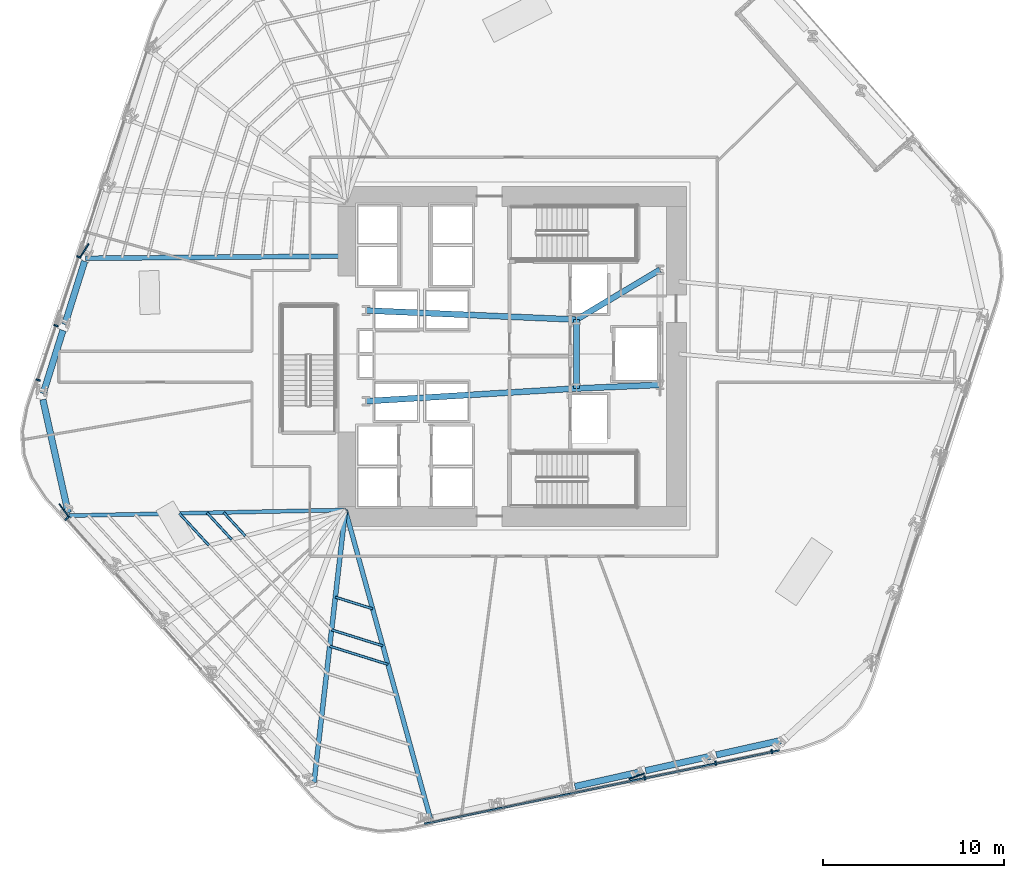
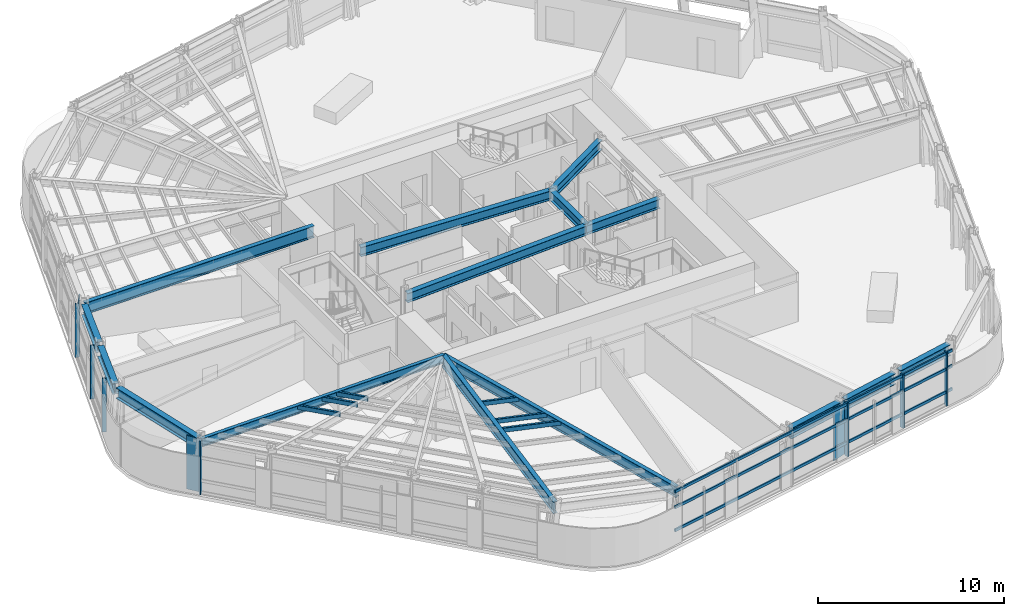
# One storey, part 3 of 17: 19 members, 15 beams, 3 elements without a shape of their own.
"""IFC4 building model written with IfcOpenShell, lengths in metres."""

from ifc_helpers import new_model, si_unit, direction, frame, origin, origin_2d, place, context, subcontext, project, spatial, rectangle, hollow_rectangle, i_section, extrude, material, layer, layer_set, material_profile, profile_set, type_object, element, aggregate, save


model = new_model("IFC4")

# Units and contexts
model_context = context("Model", 3, precision=1e-05, world=origin(), true_north=direction((0.0, 1.0)))
body_context = subcontext(model_context, "Body", "Model", "MODEL_VIEW")
ifc_project = project(units=[si_unit("LENGTHUNIT", "METRE"), si_unit("AREAUNIT", "SQUARE_METRE"), si_unit("VOLUMEUNIT", "CUBIC_METRE"), si_unit("PLANEANGLEUNIT", "RADIAN"), si_unit("MASSUNIT", "GRAM", prefix="KILO")], contexts=[model_context])

# Site, building, storey
site_placement = place(None, origin())
site = spatial("IfcSite", under=ifc_project, at=site_placement, CompositionType="ELEMENT")
building_placement = place(site_placement, origin())
building = spatial("IfcBuilding", under=site, at=building_placement, Name="Valkerne Bourse Tower", CompositionType="ELEMENT")
storey_placement = place(building_placement, frame((0.0, 0.0, 73.39990234375)))
storey = spatial("IfcBuildingStorey", under=building, at=storey_placement, Name="L18", CompositionType="ELEMENT", Elevation=73.39990234375)

# Beams
ifc_material_1 = material(Name="Steel ASTM A992", Category="steel")
ifc_material_profile_1 = material_profile(ifc_material_1, i_section(OverallWidth=0.2138671875, OverallDepth=0.548583984375, WebThickness=0.0146484375, FlangeThickness=0.023681640625, FilletRadius=0.017822265625, at=origin_2d()), Name="W21X93")
ifc_profile_set_1 = profile_set([ifc_material_profile_1], Name="Steel ASTM A992")
beam_type_1 = type_object("IfcBeamType", Name="BM-W21X93", PredefinedType="BEAM", material=ifc_profile_set_1)
beam_1_placement = place(storey_placement, frame((22.347900390625, 18.0869140625, 3.245849609375), z_axis=(0.999789513525, 0.020516545649, 0.0), x_axis=(-0.020516545649, 0.999789513525, 0.0)))
element("IfcBeam", 1, at=beam_1_placement, inside=storey, type_object=beam_type_1, Name="L18 Radial Composite Floor Beam 18", PredefinedType="BEAM", context=body_context, shape_type="SweptSolid", body=[
    extrude(i_section(OverallWidth=0.2138671875, OverallDepth=0.548583984375, WebThickness=0.0146484375, FlangeThickness=0.023681640625, FilletRadius=0.017822265625, at=origin_2d()), origin(), (0.0, 0.0, 1.0), 15.25537109375),
])
ifc_material_profile_2 = material_profile(ifc_material_1, i_section(OverallWidth=0.3251953125, OverallDepth=0.612060546875, WebThickness=0.0126953125, FlangeThickness=0.01904296875, FilletRadius=0.020263671875, at=origin_2d()), Name="W24X104")
ifc_profile_set_2 = profile_set([ifc_material_profile_2], Name="Steel ASTM A992")
beam_type_2 = type_object("IfcBeamType", Name="BM-W24X104", PredefinedType="BEAM", material=ifc_profile_set_2)
beam_2_placement = place(storey_placement, frame((50.35009765625, 25.10009765625, 3.214111328125), z_axis=(0.0, 1.0, 0.0), x_axis=(-1.0, 0.0, 0.0)))
element("IfcBeam", 2, at=beam_2_placement, inside=storey, type_object=beam_type_2, Name="L18 Core Frame Girder CG-CE", PredefinedType="BEAM", context=body_context, shape_type="SweptSolid", body=[
    extrude(i_section(OverallWidth=0.3251953125, OverallDepth=0.612060546875, WebThickness=0.0126953125, FlangeThickness=0.01904296875, FilletRadius=0.020263671875, at=origin_2d()), origin(), (0.0, 0.0, 1.0), 3.7998046875),
])
beam_3_placement = place(storey_placement, frame((50.35009765625, 25.10009765625, 3.214111328125), z_axis=(0.999056558506, 0.043428019819, 0.0), x_axis=(-0.043428019819, 0.999056558506, 0.0)))
element("IfcBeam", 3, at=beam_3_placement, inside=storey, type_object=beam_type_2, Name="L18 Core Frame Girder CG-SE", PredefinedType="BEAM", context=body_context, shape_type="SweptSolid", body=[
    extrude(i_section(OverallWidth=0.3251953125, OverallDepth=0.612060546875, WebThickness=0.0126953125, FlangeThickness=0.01904296875, FilletRadius=0.020263671875, at=origin_2d()), origin(), (0.0, 0.0, 1.0), 4.604248046875),
])
beam_4_placement = place(storey_placement, frame((50.35009765625, 28.89990234375, 3.214111328125), z_axis=(0.858307823492, 0.513135148019, 0.0), x_axis=(-0.513135148019, 0.858307823492, 0.0)))
element("IfcBeam", 4, at=beam_4_placement, inside=storey, type_object=beam_type_2, Name="L18 Core Frame Girder CG-NE", PredefinedType="BEAM", context=body_context, shape_type="SweptSolid", body=[
    extrude(i_section(OverallWidth=0.3251953125, OverallDepth=0.612060546875, WebThickness=0.0126953125, FlangeThickness=0.01904296875, FilletRadius=0.020263671875, at=origin_2d()), origin(), (0.0, 0.0, 1.0), 5.359130859375),
])
beam_5_placement = place(storey_placement, frame((38.75, 24.39990234375, 3.214111328125), z_axis=(0.998183228389, 0.060251494276, 0.0), x_axis=(-0.060251494276, 0.998183228389, 0.0)))
element("IfcBeam", 5, at=beam_5_placement, inside=storey, type_object=beam_type_2, Name="L18 Core Frame Girder CG-SW", PredefinedType="BEAM", context=body_context, shape_type="SweptSolid", body=[
    extrude(i_section(OverallWidth=0.3251953125, OverallDepth=0.612060546875, WebThickness=0.0126953125, FlangeThickness=0.01904296875, FilletRadius=0.020263671875, at=origin_2d()), origin(), (0.0, 0.0, 1.0), 11.62109375),
])
beam_6_placement = place(storey_placement, frame((38.75, 29.39990234375, 3.214111328125), z_axis=(0.999072354402, -0.043063101019, 0.0), x_axis=(0.043063101019, 0.999072354402, 0.0)))
element("IfcBeam", 6, at=beam_6_placement, inside=storey, type_object=beam_type_2, Name="L18 Core Frame Girder CG-NW", PredefinedType="BEAM", context=body_context, shape_type="SweptSolid", body=[
    extrude(i_section(OverallWidth=0.3251953125, OverallDepth=0.612060546875, WebThickness=0.0126953125, FlangeThickness=0.01904296875, FilletRadius=0.020263671875, at=origin_2d()), origin(), (0.0, 0.0, 1.0), 11.61083984375),
])
ifc_material_profile_3 = material_profile(ifc_material_1, i_section(OverallWidth=0.255859375, OverallDepth=0.693359375, WebThickness=0.014404296875, FlangeThickness=0.023681640625, FilletRadius=0.02294921875, at=origin_2d()), Name="W27X114")
ifc_profile_set_3 = profile_set([ifc_material_profile_3], Name="Steel ASTM A992")
beam_type_3 = type_object("IfcBeamType", Name="BM-W27X114", PredefinedType="BEAM", material=ifc_profile_set_3)
beam_7_placement = place(storey_placement, frame((42.293212890625, 1.3671875, 3.17333984375), z_axis=(-0.265636289645, 0.964073317556, 0.0), x_axis=(-0.964073317556, -0.265636289645, 0.0)))
element("IfcBeam", 7, at=beam_7_placement, inside=storey, type_object=beam_type_3, Name="L18 Radial Composite Floor Beam 24", PredefinedType="BEAM", context=body_context, shape_type="SweptSolid", body=[
    extrude(i_section(OverallWidth=0.255859375, OverallDepth=0.693359375, WebThickness=0.014404296875, FlangeThickness=0.023681640625, FilletRadius=0.02294921875, at=origin_2d()), origin(), (0.0, 0.0, 1.0), 17.66748046875),
])
ifc_material_profile_4 = material_profile(ifc_material_1, i_section(OverallWidth=0.358154296875, OverallDepth=0.7060546875, WebThickness=0.018310546875, FlangeThickness=0.0302734375, FilletRadius=0.02294921875, at=origin_2d()), Name="W27X178")
ifc_profile_set_4 = profile_set([ifc_material_profile_4], Name="Steel ASTM A992")
beam_type_4 = type_object("IfcBeamType", Name="BM-W27X178", PredefinedType="SPANDREL", material=ifc_profile_set_4)
for number, where, z_axis, x_axis, name in (
    (8, (23.21923828125, 32.117919921875, 3.1669921875), (-0.299027746535, -0.9542444167, 0.0), (0.9542444167, -0.299027746535, 0.0), "L18 Hexagonal Spandrel Ring Beam 15"),
    (9, (22.0244140625, 28.3046875, 3.1669921875), (-0.299088550744, -0.954225360601, 0.0), (0.954225360601, -0.299088550744, 0.0), "L18 Hexagonal Spandrel Ring Beam 16"),
):
    element("IfcBeam", number, at=place(storey_placement, frame(where, z_axis=z_axis, x_axis=x_axis)), inside=storey, type_object=beam_type_4, Name=name, PredefinedType="SPANDREL", context=body_context, shape_type="SweptSolid", body=[
        extrude(i_section(OverallWidth=0.358154296875, OverallDepth=0.7060546875, WebThickness=0.018310546875, FlangeThickness=0.0302734375, FilletRadius=0.02294921875, at=origin_2d()), origin(), (0.0, 0.0, 1.0), 3.656005859375),
    ])
beam_8_placement = place(storey_placement, frame((20.917236328125, 24.48779296875, 3.1669921875), z_axis=(0.218119845195, -0.975921991315, 0.0), x_axis=(0.975921991315, 0.218119845195, 0.0)))
element("IfcBeam", 10, at=beam_8_placement, inside=storey, type_object=beam_type_4, Name="L18 Hexagonal Spandrel Ring Beam 17", PredefinedType="SPANDREL", context=body_context, shape_type="SweptSolid", body=[
    extrude(i_section(OverallWidth=0.358154296875, OverallDepth=0.7060546875, WebThickness=0.018310546875, FlangeThickness=0.0302734375, FilletRadius=0.02294921875, at=origin_2d()), origin(), (0.0, 0.0, 1.0), 6.388916015625),
])
for number, where, z_axis, x_axis, name in (
    (11, (50.258544921875, 3.147705078125, 3.1669921875), (0.975911302758, 0.218167662933, 0.0), (-0.218167662933, 0.975911302758, 0.0), "L18 Hexagonal Spandrel Ring Beam 26"),
    (12, (54.158203125, 4.01953125, 3.1669921875), (0.975928695387, 0.218089847358, 0.0), (-0.218089847358, 0.975928695387, 0.0), "L18 Hexagonal Spandrel Ring Beam 27"),
    (13, (58.05810546875, 4.89111328125, 3.1669921875), (0.975911302758, 0.218167662933, 0.0), (-0.218167662933, 0.975911302758, 0.0), "L18 Hexagonal Spandrel Ring Beam 28"),
):
    element("IfcBeam", number, at=place(storey_placement, frame(where, z_axis=z_axis, x_axis=x_axis)), inside=storey, type_object=beam_type_4, Name=name, PredefinedType="SPANDREL", context=body_context, shape_type="SweptSolid", body=[
        extrude(i_section(OverallWidth=0.358154296875, OverallDepth=0.7060546875, WebThickness=0.018310546875, FlangeThickness=0.0302734375, FilletRadius=0.02294921875, at=origin_2d()), origin(), (0.0, 0.0, 1.0), 3.656005859375),
    ])
ifc_material_profile_5 = material_profile(ifc_material_1, i_section(OverallWidth=0.26806640625, OverallDepth=0.76953125, WebThickness=0.015625, FlangeThickness=0.025390625, FilletRadius=0.025390625, at=origin_2d()), Name="W30X132")
ifc_profile_set_5 = profile_set([ifc_material_profile_5], Name="Steel ASTM A992")
beam_type_5 = type_object("IfcBeamType", Name="BM-W30X132", PredefinedType="BEAM", material=ifc_profile_set_5)
beam_9_placement = place(storey_placement, frame((23.27001953125, 32.280029296875, 3.13525390625), z_axis=(0.999965014089, 0.008364842952, 0.0), x_axis=(-0.008364842952, 0.999965014089, 0.0)))
element("IfcBeam", 14, at=beam_9_placement, inside=storey, type_object=beam_type_5, Name="L18 Radial Composite Floor Beam 15", PredefinedType="BEAM", context=body_context, shape_type="SweptSolid", body=[
    extrude(i_section(OverallWidth=0.26806640625, OverallDepth=0.76953125, WebThickness=0.015625, FlangeThickness=0.025390625, FilletRadius=0.025390625, at=origin_2d()), origin(), (0.0, 0.0, 1.0), 14.33056640625),
])
beam_10_placement = place(storey_placement, frame((35.8720703125, 3.379638671875, 3.13525390625), z_axis=(0.114292522384, 0.993447139674, 0.0), x_axis=(-0.993447139674, 0.114292522384, 0.0)))
element("IfcBeam", 15, at=beam_10_placement, inside=storey, type_object=beam_type_5, Name="L18 Radial Composite Floor Beam 23", PredefinedType="BEAM", context=body_context, shape_type="SweptSolid", body=[
    extrude(i_section(OverallWidth=0.26806640625, OverallDepth=0.76953125, WebThickness=0.015625, FlangeThickness=0.025390625, FilletRadius=0.025390625, at=origin_2d()), origin(), (0.0, 0.0, 1.0), 15.119384765625),
])

# Curtain wall, members
ifc_material_2 = material(Name="Aluminium AA 6063-T6", Category="aluminium")
ifc_layer = layer(ifc_material_2, 0.22509765625)
ifc_layer_set = layer_set([ifc_layer], Name="Aluminium AA 6063-T6")
curtain_wall_type = type_object("IfcCurtainWallType", Name="CW-01", PredefinedType="NOTDEFINED", material=ifc_layer_set)
curtain_wall_1_placement = place(storey_placement, origin())
curtain_wall_1 = element("IfcCurtainWall", 16, at=curtain_wall_1_placement, inside=storey, type_object=curtain_wall_type, Name="L18 Hexagonal Stick Curtain Wall Face 3", PredefinedType="NOTDEFINED")
ifc_material_profile_6 = material_profile(ifc_material_2, rectangle(XDim=0.090087890625, YDim=0.239990234375, at=origin_2d()), Name="CWM-90X240")
ifc_profile_set_6 = profile_set([ifc_material_profile_6], Name="Aluminium AA 6063-T6")
member_type_1 = type_object("IfcMemberType", Name="CW-MUL-240X90", PredefinedType="MULLION", material=ifc_profile_set_6)
member_1_placement = place(storey_placement, frame((22.901123046875, 32.35693359375, 0.0), z_axis=(0.0, 0.0, 1.0), x_axis=(-0.314012202372, -0.949418946915, 0.0)))
member_1 = element("IfcMember", 17, at=member_1_placement, type_object=member_type_1, Name="CW-L18-F3 Jamb Mullion 03A", PredefinedType="MULLION", context=body_context, shape_type="SweptSolid", body=[
    extrude(rectangle(XDim=0.090087890625, YDim=0.239990234375, at=origin_2d()), origin(), (0.0, 0.0, 1.0), 3.52001953125),
])
member_2_placement = place(storey_placement, frame((21.646484375, 28.56298828125, 0.0), z_axis=(0.0, 0.0, 1.0), x_axis=(-0.31398964478, -0.949426407349, 0.0)))
member_2 = element("IfcMember", 18, at=member_2_placement, type_object=member_type_1, Name="CW-L18-F3 Jamb Mullion 04A", PredefinedType="MULLION", context=body_context, shape_type="SweptSolid", body=[
    extrude(rectangle(XDim=0.090087890625, YDim=0.239990234375, at=origin_2d()), origin(), (0.0, 0.0, 1.0), 3.52001953125),
])
member_3_placement = place(storey_placement, frame((20.655517578125, 25.566650390625, 0.0), z_axis=(0.0, 0.0, 1.0), x_axis=(-0.31398964478, -0.949426407349, 0.0)))
member_3 = element("IfcMember", 19, at=member_3_placement, type_object=member_type_1, Name="CW-L18-F3 Jamb Mullion 04B", PredefinedType="MULLION", context=body_context, shape_type="SweptSolid", body=[
    extrude(rectangle(XDim=0.090087890625, YDim=0.239990234375, at=origin_2d()), origin(), (0.0, 0.0, 1.0), 3.52001953125),
])
aggregate(curtain_wall_1, [member_1, member_2, member_3])

# Curtain wall, member
curtain_wall_2_placement = place(storey_placement, origin())
curtain_wall_2 = element("IfcCurtainWall", 20, at=curtain_wall_2_placement, inside=storey, type_object=curtain_wall_type, Name="L18 Hexagonal Stick Curtain Wall Face 4", PredefinedType="NOTDEFINED")
member_4_placement = place(storey_placement, frame((22.236572265625, 17.93212890625, 0.0), z_axis=(0.0, 0.0, 1.0), x_axis=(0.66521771062, -0.746649447517, 0.0)))
member_4 = element("IfcMember", 21, at=member_4_placement, type_object=member_type_1, Name="CW-L18-F4 Jamb Mullion 00A", PredefinedType="MULLION", context=body_context, shape_type="SweptSolid", body=[
    extrude(rectangle(XDim=0.090087890625, YDim=0.239990234375, at=origin_2d()), origin(), (0.0, 0.0, 1.0), 3.52001953125),
])
aggregate(curtain_wall_2, [member_4])

# Curtain wall, members
curtain_wall_3_placement = place(storey_placement, origin())
curtain_wall_3 = element("IfcCurtainWall", 22, at=curtain_wall_3_placement, inside=storey, type_object=curtain_wall_type, Name="L18 Hexagonal Stick Curtain Wall Face 5", PredefinedType="NOTDEFINED")
member_5_placement = place(storey_placement, frame((54.110107421875, 3.62451171875, 0.0), z_axis=(0.0, 0.0, 1.0), x_axis=(0.97922496445, 0.202776894635, 0.0)))
member_5 = element("IfcMember", 23, at=member_5_placement, type_object=member_type_1, Name="CW-L18-F5 Jamb Mullion 03A", PredefinedType="MULLION", context=body_context, shape_type="SweptSolid", body=[
    extrude(rectangle(XDim=0.090087890625, YDim=0.239990234375, at=origin_2d()), origin(), (0.0, 0.0, 1.0), 3.52001953125),
])
member_6_placement = place(storey_placement, frame((58.023193359375, 4.434814453125, 0.0), z_axis=(0.0, 0.0, 1.0), x_axis=(0.97921999513, 0.202800890378, 0.0)))
member_6 = element("IfcMember", 24, at=member_6_placement, type_object=member_type_1, Name="CW-L18-F5 Jamb Mullion 04A", PredefinedType="MULLION", context=body_context, shape_type="SweptSolid", body=[
    extrude(rectangle(XDim=0.090087890625, YDim=0.239990234375, at=origin_2d()), origin(), (0.0, 0.0, 1.0), 3.52001953125),
])
member_7_placement = place(storey_placement, frame((61.113525390625, 5.074951171875, 0.0), z_axis=(0.0, 0.0, 1.0), x_axis=(0.97921999513, 0.202800890378, 0.0)))
member_7 = element("IfcMember", 25, at=member_7_placement, type_object=member_type_1, Name="CW-L18-F5 Jamb Mullion 04B", PredefinedType="MULLION", context=body_context, shape_type="SweptSolid", body=[
    extrude(rectangle(XDim=0.090087890625, YDim=0.239990234375, at=origin_2d()), origin(), (0.0, 0.0, 1.0), 3.52001953125),
])
ifc_material_profile_7 = material_profile(ifc_material_2, rectangle(XDim=0.090087890625, YDim=0.179931640625, at=origin_2d()), Name="CWT-90X180")
ifc_profile_set_7 = profile_set([ifc_material_profile_7], Name="Aluminium AA 6063-T6")
member_type_2 = type_object("IfcMemberType", Name="CW-TRN-180X90", PredefinedType="USERDEFINED", material=ifc_profile_set_7)
member_8_placement = place(storey_placement, frame((41.964111328125, 1.0888671875, 0.900146484375), z_axis=(0.979224205541, 0.202780559429, 0.0), x_axis=(-0.202780559429, 0.979224205541, 0.0)))
member_8 = element("IfcMember", 26, at=member_8_placement, type_object=member_type_2, Name="CW-L18-F5 Continuous Face Transom 2", ObjectType="TRANSOM", PredefinedType="USERDEFINED", context=body_context, shape_type="SweptSolid", body=[
    extrude(rectangle(XDim=0.090087890625, YDim=0.179931640625, at=origin_2d()), origin(), (0.0, 0.0, 1.0), 19.979736328125),
])
member_9_placement = place(storey_placement, frame((41.964111328125, 1.0888671875, 2.400146484375), z_axis=(0.979224205541, 0.202780559429, 0.0), x_axis=(-0.202780559429, 0.979224205541, 0.0)))
member_9 = element("IfcMember", 27, at=member_9_placement, type_object=member_type_2, Name="CW-L18-F5 Continuous Face Transom 3", ObjectType="TRANSOM", PredefinedType="USERDEFINED", context=body_context, shape_type="SweptSolid", body=[
    extrude(rectangle(XDim=0.090087890625, YDim=0.179931640625, at=origin_2d()), origin(), (0.0, 0.0, 1.0), 19.979736328125),
])
member_10_placement = place(storey_placement, frame((41.964111328125, 1.0888671875, 3.440185546875), z_axis=(0.979224205541, 0.202780559429, 0.0), x_axis=(-0.202780559429, 0.979224205541, 0.0)))
member_10 = element("IfcMember", 28, at=member_10_placement, type_object=member_type_2, Name="CW-L18-F5 Continuous Face Transom 4", ObjectType="TRANSOM", PredefinedType="USERDEFINED", context=body_context, shape_type="SweptSolid", body=[
    extrude(rectangle(XDim=0.090087890625, YDim=0.179931640625, at=origin_2d()), origin(), (0.0, 0.0, 1.0), 19.979736328125),
])
aggregate(curtain_wall_3, [member_8, member_9, member_10, member_5, member_6, member_7])

# Members
ifc_material_3 = material(Name="Bronze Anodised Aluminium AA 6063-T6", Category="aluminium")
ifc_material_profile_8 = material_profile(ifc_material_3, rectangle(XDim=0.070068359375, YDim=0.89990234375, at=origin_2d()), Name="FIN-70X900")
ifc_profile_set_8 = profile_set([ifc_material_profile_8], Name="Bronze Anodised Aluminium AA 6063-T6")
member_type_3 = type_object("IfcMemberType", Name="FIN-SOLAR-900", PredefinedType="USERDEFINED", material=ifc_profile_set_8)
for number, where, z_axis, x_axis, name in (
    (29, (23.2041015625, 32.69921875, 0.004150390625), (0.0, 0.0, 1.0), (-0.846749334981, 0.531992071096, 0.0), "L18 Bronze Anodised Solar Fin F3-03"),
    (30, (22.091552734375, 18.365478515625, 0.004150390625), (0.0, 0.0, 1.0), (-0.802679139928, -0.596411098425, 0.0), "L18 Bronze Anodised Solar Fin F4-00"),
    (31, (53.662353515625, 3.715576171875, 0.004150390625), (0.0, 0.0, 1.0), (0.349433552513, -0.936961147742, 0.0), "L18 Bronze Anodised Solar Fin F5-03"),
):
    element("IfcMember", number, at=place(storey_placement, frame(where, z_axis=z_axis, x_axis=x_axis)), inside=storey, type_object=member_type_3, Name=name, ObjectType="SOLAR_FIN", PredefinedType="USERDEFINED", context=body_context, shape_type="SweptSolid", body=[
        extrude(rectangle(XDim=0.070068359375, YDim=0.89990234375, at=origin_2d()), origin(), (0.0, 0.0, 1.0), 3.511962890625),
    ])
ifc_material_4 = material(Name="Steel ASTM A500 Grade C", Category="steel")
ifc_material_profile_9 = material_profile(ifc_material_4, hollow_rectangle(XDim=0.14990234375, YDim=0.300048828125, WallThickness=0.012451171875, OuterFilletRadius=0.02490234375, at=origin_2d()), Name="HSS300X150X12.5")
ifc_profile_set_9 = profile_set([ifc_material_profile_9], Name="Steel ASTM A500 Grade C")
member_type_4 = type_object("IfcMemberType", Name="MBR-HSS300X150X12.5", PredefinedType="PURLIN", material=ifc_profile_set_9)
member_11_placement = place(storey_placement, frame((37.047119140625, 13.593505859375, 3.360107421875), z_axis=(0.95422138415, -0.299101237094, 0.0), x_axis=(0.299101237094, 0.95422138415, 0.0)))
element("IfcMember", 32, at=member_11_placement, inside=storey, type_object=member_type_4, Name="L18 Secondary Composite Floor Purlin I-23", PredefinedType="PURLIN", context=body_context, shape_type="SweptSolid", body=[
    extrude(hollow_rectangle(XDim=0.14990234375, YDim=0.300048828125, WallThickness=0.012451171875, OuterFilletRadius=0.02490234375, at=origin_2d()), origin(), (0.0, 0.0, 1.0), 2.1533203125),
])
member_12_placement = place(storey_placement, frame((30.88916015625, 18.26220703125, 3.360107421875), z_axis=(0.676836888933, -0.736133021796, 0.0), x_axis=(0.736133021796, 0.676836888933, 0.0)))
element("IfcMember", 33, at=member_12_placement, inside=storey, type_object=member_type_4, Name="L18 Secondary Composite Floor Purlin K-18", PredefinedType="PURLIN", context=body_context, shape_type="SweptSolid", body=[
    extrude(hollow_rectangle(XDim=0.14990234375, YDim=0.300048828125, WallThickness=0.012451171875, OuterFilletRadius=0.02490234375, at=origin_2d()), origin(), (0.0, 0.0, 1.0), 1.758056640625),
])
member_13_placement = place(storey_placement, frame((36.839599609375, 11.791015625, 3.360107421875), z_axis=(0.954234642872, -0.299058934563, 0.0), x_axis=(0.299058934563, 0.954234642872, 0.0)))
element("IfcMember", 34, at=member_13_placement, inside=storey, type_object=member_type_4, Name="L18 Secondary Composite Floor Purlin K-23", PredefinedType="PURLIN", context=body_context, shape_type="SweptSolid", body=[
    extrude(hollow_rectangle(XDim=0.14990234375, YDim=0.300048828125, WallThickness=0.012451171875, OuterFilletRadius=0.02490234375, at=origin_2d()), origin(), (0.0, 0.0, 1.0), 2.9609375),
])
member_14_placement = place(storey_placement, frame((29.97412109375, 18.243408203125, 3.360107421875), z_axis=(0.676852665651, -0.736118515595, 0.0), x_axis=(0.736118515595, 0.676852665651, 0.0)))
element("IfcMember", 35, at=member_14_placement, inside=storey, type_object=member_type_4, Name="L18 Secondary Composite Floor Purlin M-18", PredefinedType="PURLIN", context=body_context, shape_type="SweptSolid", body=[
    extrude(hollow_rectangle(XDim=0.14990234375, YDim=0.300048828125, WallThickness=0.012451171875, OuterFilletRadius=0.02490234375, at=origin_2d()), origin(), (0.0, 0.0, 1.0), 1.997802734375),
])
member_15_placement = place(storey_placement, frame((36.736083984375, 10.889892578125, 3.360107421875), z_axis=(0.954218795308, -0.299109496141, 0.0), x_axis=(0.299109496141, 0.954218795308, 0.0)))
element("IfcMember", 36, at=member_15_placement, inside=storey, type_object=member_type_4, Name="L18 Secondary Composite Floor Purlin M-23", PredefinedType="PURLIN", context=body_context, shape_type="SweptSolid", body=[
    extrude(hollow_rectangle(XDim=0.14990234375, YDim=0.300048828125, WallThickness=0.012451171875, OuterFilletRadius=0.02490234375, at=origin_2d()), origin(), (0.0, 0.0, 1.0), 3.364501953125),
])
member_16_placement = place(storey_placement, frame((28.44873046875, 18.212158203125, 3.360107421875), z_axis=(0.676908726129, -0.736066964679, 0.0), x_axis=(0.736066964679, 0.676908726129, 0.0)))
element("IfcMember", 37, at=member_16_placement, inside=storey, type_object=member_type_4, Name="L18 Secondary Composite Floor Purlin Z-18", PredefinedType="PURLIN", context=body_context, shape_type="SweptSolid", body=[
    extrude(hollow_rectangle(XDim=0.14990234375, YDim=0.300048828125, WallThickness=0.012451171875, OuterFilletRadius=0.02490234375, at=origin_2d()), origin(), (0.0, 0.0, 1.0), 2.397705078125),
])

save(model, "model.ifc")
